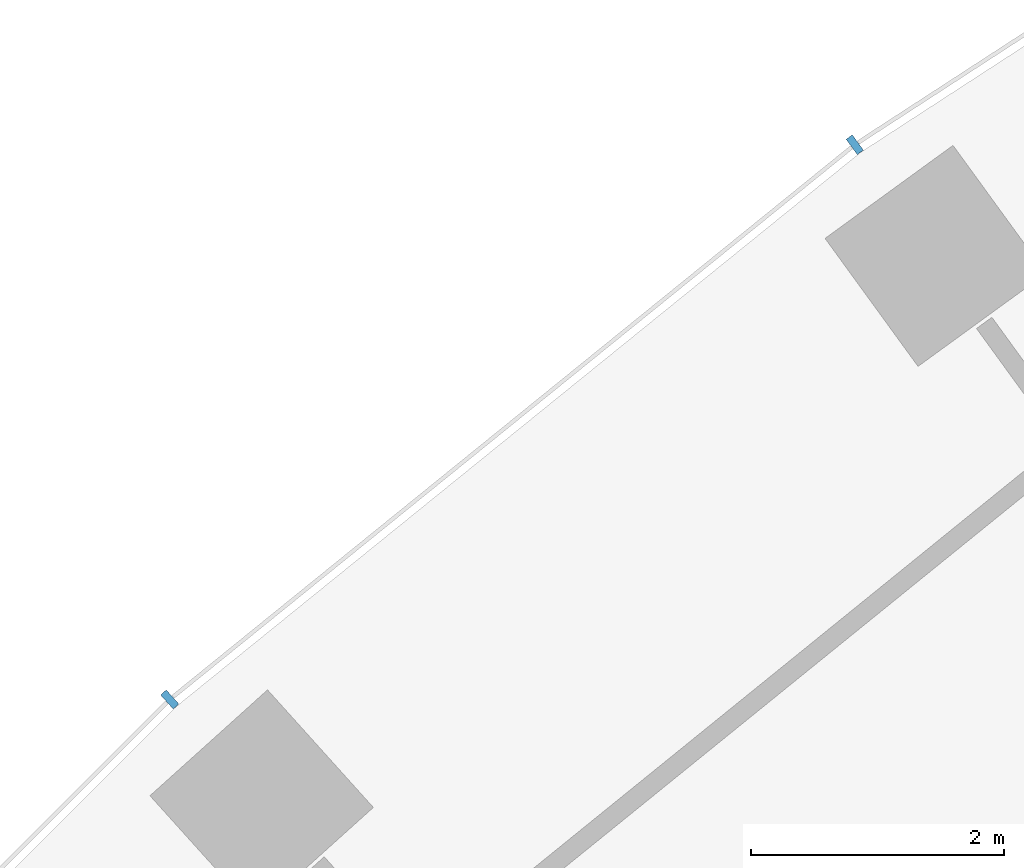
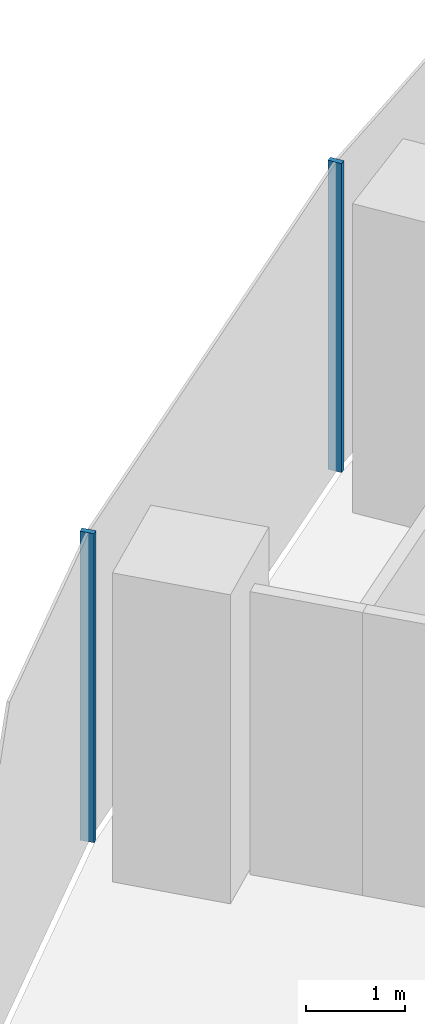
# One storey, part 4 of 21: 2 members, 1 element without a shape of its own.
"""IFC4 building model written with IfcOpenShell, lengths in metres."""

from ifc_helpers import new_model, si_unit, direction, frame, origin, origin_2d, place, context, subcontext, project, spatial, rectangle, extrude, material, layer, layer_set, material_profile, profile_set, type_object, element, aggregate, save


model = new_model("IFC4")

# Units and contexts
model_context = context("Model", 3, precision=1e-05, world=origin(), true_north=direction((0.0, 1.0)))
body_context = subcontext(model_context, "Body", "Model", "MODEL_VIEW")
ifc_project = project(units=[si_unit("LENGTHUNIT", "METRE"), si_unit("AREAUNIT", "SQUARE_METRE"), si_unit("VOLUMEUNIT", "CUBIC_METRE"), si_unit("PLANEANGLEUNIT", "RADIAN"), si_unit("MASSUNIT", "GRAM", prefix="KILO")], contexts=[model_context])

# Site, building, storey
site_placement = place(None, origin())
site = spatial("IfcSite", under=ifc_project, at=site_placement, CompositionType="ELEMENT")
building_placement = place(site_placement, origin())
building = spatial("IfcBuilding", under=site, at=building_placement, Name="Stone Belt Terrace Tower", CompositionType="ELEMENT")
storey_placement = place(building_placement, frame((0.0, 0.0, 71.800048828125)))
storey = spatial("IfcBuildingStorey", under=building, at=storey_placement, Name="L17", CompositionType="ELEMENT", Elevation=71.800048828125)

# Curtain wall, members
ifc_material = material(Name="Aluminium 6063-T6 anodised frame", Category="aluminium")
ifc_layer = layer(ifc_material, 0.14990234375)
ifc_layer_set = layer_set([ifc_layer], Name="CW-A unitised convex-face curtain wall")
curtain_wall_type = type_object("IfcCurtainWallType", Name="CW-A unitised convex-face curtain wall", PredefinedType="NOTDEFINED", material=ifc_layer_set)
curtain_wall_placement = place(storey_placement, origin())
curtain_wall = element("IfcCurtainWall", 1, at=curtain_wall_placement, inside=storey, type_object=curtain_wall_type, Name="CW-A convex face L17", PredefinedType="NOTDEFINED")
ifc_material_profile = material_profile(ifc_material, rectangle(XDim=0.14990234375, YDim=0.06005859375, at=origin_2d()), Name="Aluminium 6063-T6 60x150")
ifc_profile_set = profile_set([ifc_material_profile], Name="Aluminium 6063-T6 anodised frame")
member_type = type_object("IfcMemberType", Name="CW-A mullion 60 x 150", PredefinedType="MULLION", material=ifc_profile_set)
member_1_placement = place(storey_placement, frame((-39.1318359375, 53.8603515625, 0.0), z_axis=(0.0, 0.0, 1.0), x_axis=(0.587785252292, -0.809016994375, 0.0)))
member_1 = element("IfcMember", 2, at=member_1_placement, type_object=member_type, Name="CW-A mullion 15", PredefinedType="MULLION", context=body_context, shape_type="SweptSolid", body=[
    extrude(rectangle(XDim=0.14990234375, YDim=0.06005859375, at=origin_2d()), origin(), (0.0, 0.0, 1.0), 3.800048828125),
])
member_2_placement = place(storey_placement, frame((-44.54736328125, 49.474853515625, 0.0), z_axis=(0.0, 0.0, 1.0), x_axis=(0.669130606359, -0.743144825477, 0.0)))
member_2 = element("IfcMember", 3, at=member_2_placement, type_object=member_type, Name="CW-A mullion 16", PredefinedType="MULLION", context=body_context, shape_type="SweptSolid", body=[
    extrude(rectangle(XDim=0.14990234375, YDim=0.06005859375, at=origin_2d()), origin(), (0.0, 0.0, 1.0), 3.800048828125),
])
aggregate(curtain_wall, [member_1, member_2])

save(model, "model.ifc")
